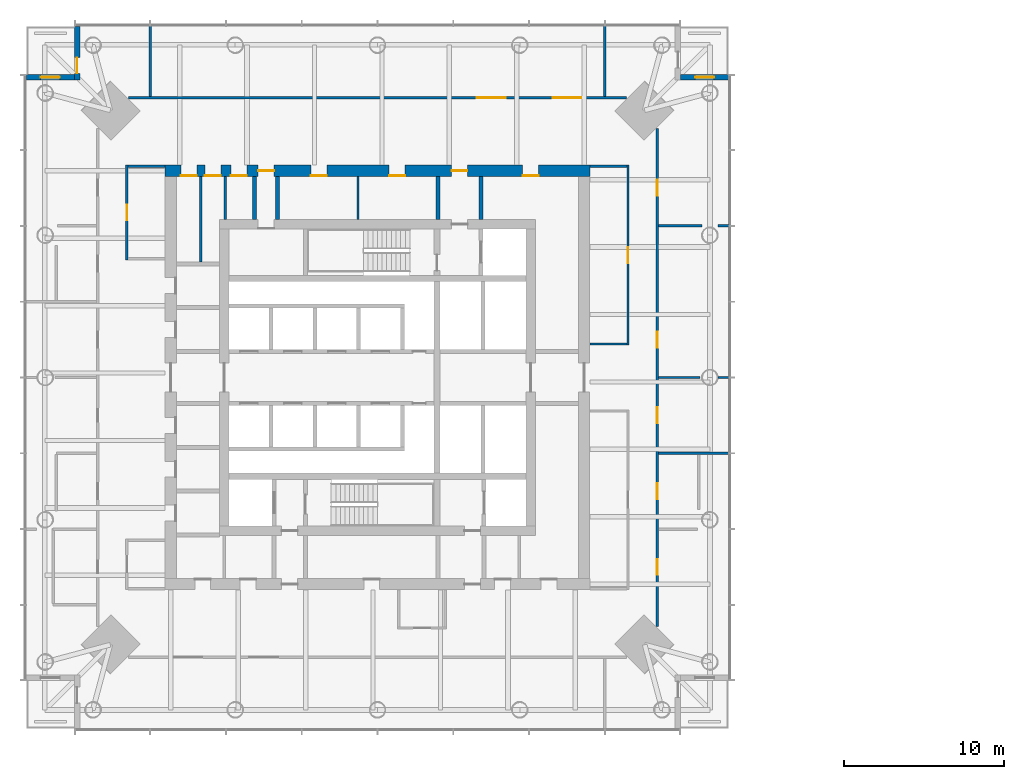
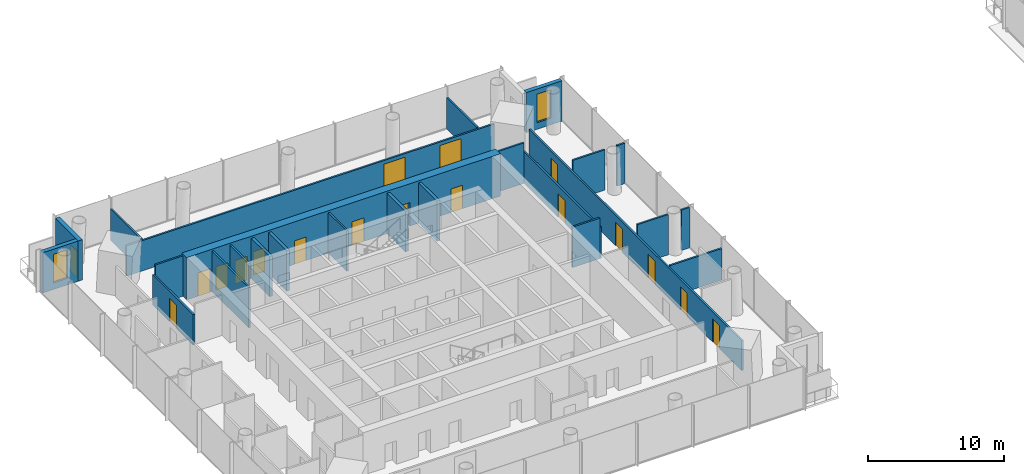
# One storey, part 11 of 19: 25 walls, 18 doors, 2 windows, 20 openings.
"""IFC4 building model written with IfcOpenShell, lengths in metres."""

from ifc_helpers import new_model, si_unit, direction, frame, frame_2d, origin, place, context, subcontext, project, spatial, rectangle, extrude, material, layer, layer_set, type_object, element, fill, save


model = new_model("IFC4")

# Units and contexts
model_context = context("Model", 3, precision=1e-05, world=origin(), true_north=direction((0.0, 1.0)))
body_context = subcontext(model_context, "Body", "Model", "MODEL_VIEW")
ifc_project = project(units=[si_unit("LENGTHUNIT", "METRE"), si_unit("AREAUNIT", "SQUARE_METRE"), si_unit("VOLUMEUNIT", "CUBIC_METRE"), si_unit("PLANEANGLEUNIT", "RADIAN"), si_unit("MASSUNIT", "GRAM", prefix="KILO")], contexts=[model_context])

# Site, building, storey
site_placement = place(None, origin())
site = spatial("IfcSite", under=ifc_project, at=site_placement, CompositionType="ELEMENT")
building_placement = place(site_placement, origin())
building = spatial("IfcBuilding", under=site, at=building_placement, Name="Ostroluk Exchange", CompositionType="ELEMENT")
storey_placement = place(building_placement, frame((0.0, 0.0, 119.800048828125)))
storey = spatial("IfcBuildingStorey", under=building, at=storey_placement, Name="L30", CompositionType="ELEMENT", Elevation=119.800048828125)

# Walls
ifc_material_1 = material(Name="Concrete blockwork", Category="masonry")
ifc_layer_1 = layer(ifc_material_1, 0.14990234375)
ifc_layer_set_1 = layer_set([ifc_layer_1], Name="Blockwork plant room wall 150")
wall_type_1 = type_object("IfcWallType", Name="Blockwork plant room wall 150", PredefinedType="SOLIDWALL", material=ifc_layer_set_1)
wall_1_placement = place(storey_placement, frame((33.927978515625, 53.25, 0.0), z_axis=(0.0, 0.0, 1.0), x_axis=(0.0, 1.0, 0.0)))
element("IfcWall", 1, at=wall_1_placement, inside=storey, type_object=wall_type_1, Name="Core room wall", PredefinedType="SOLIDWALL", context=body_context, shape_type="SweptSolid", body=[
    extrude(rectangle(XDim=5.35009765625, YDim=0.14990234375, at=frame_2d((2.675048828125, 0.0))), origin(), (0.0, 0.0, 1.0), 3.619873046875),
])
for number, where, z_axis, x_axis, name in (
    (2, (35.4560546875, 55.89990234375, 0.0), (0.0, 0.0, 1.0), (0.0, 1.0, 0.0), "Core room wall"),
    (3, (43.777587890625, 55.89990234375, 0.0), (0.0, 0.0, 1.0), (0.0, 1.0, 0.0), "Core room wall"),
):
    element("IfcWall", number, at=place(storey_placement, frame(where, z_axis=z_axis, x_axis=x_axis)), inside=storey, type_object=wall_type_1, Name=name, PredefinedType="SOLIDWALL", context=body_context, shape_type="SweptSolid", body=[
        extrude(rectangle(XDim=2.7001953125, YDim=0.14990234375, at=frame_2d((1.35009765625, 0.0))), origin(), (0.0, 0.0, 1.0), 3.619873046875),
    ])
ifc_material_2 = material(Name="Concrete blockwork", Category="masonry")
ifc_layer_2 = layer(ifc_material_2, 0.25)
ifc_layer_set_2 = layer_set([ifc_layer_2], Name="Blockwork stair enclosure wall 250")
wall_type_2 = type_object("IfcWallType", Name="Blockwork stair enclosure wall 250", PredefinedType="SOLIDWALL", material=ifc_layer_set_2)
for number, where, z_axis, x_axis, name in (
    (4, (48.804931640625, 55.89990234375, 0.0), (0.0, 0.0, 1.0), (0.0, 1.0, 0.0), "Fire lobby enclosure wall"),
    (5, (51.47509765625, 55.89990234375, 0.0), (0.0, 0.0, 1.0), (0.0, 1.0, 0.0), "Fire lobby enclosure wall"),
    (6, (37.300048828125, 55.89990234375, 0.0), (0.0, 0.0, 1.0), (0.0, 1.0, 0.0), "Core corridor wall"),
    (7, (38.75, 55.89990234375, 0.0), (0.0, 0.0, 1.0), (0.0, 1.0, 0.0), "Core corridor wall"),
):
    element("IfcWall", number, at=place(storey_placement, frame(where, z_axis=z_axis, x_axis=x_axis)), inside=storey, type_object=wall_type_2, Name=name, PredefinedType="SOLIDWALL", context=body_context, shape_type="SweptSolid", body=[
        extrude(rectangle(XDim=2.7001953125, YDim=0.25, at=frame_2d((1.35009765625, 0.0))), origin(), (0.0, 0.0, 1.0), 3.619873046875),
    ])

# Wall, openings, doors
ifc_material_3 = material(Name="Concrete C50/60", Category="concrete")
ifc_layer_3 = layer(ifc_material_3, 0.699951171875)
ifc_layer_set_3 = layer_set([ifc_layer_3], Name="Core wall 700 C50/60")
wall_type_3 = type_object("IfcWallType", Name="Core wall 700 C50/60", PredefinedType="SHEAR", material=ifc_layer_set_3)
wall_2_placement = place(storey_placement, frame((31.699951171875, 58.949951171875, 0.0), z_axis=(0.0, 0.0, 1.0), x_axis=(1.0, 0.0, 0.0)))
wall_2 = element("IfcWall", 8, at=wall_2_placement, inside=storey, type_object=wall_type_3, Name="T1 core wall RN", PredefinedType="SHEAR", context=body_context, shape_type="SweptSolid", body=[
    extrude(rectangle(XDim=26.60009765625, YDim=0.699951171875, at=frame_2d((13.300048828125, 0.0))), origin(), (0.0, 0.0, 1.0), 3.800048828125),
])
opening_1_placement = place(wall_2_placement, frame((17.93994140625, 0.0, 0.0)))
opening_1 = element("IfcOpeningElement", 9, at=opening_1_placement, cuts=wall_2, Name="Opening FD60", PredefinedType="OPENING", context=body_context, shape_type="SweptSolid", body=[
    extrude(rectangle(XDim=1.0, YDim=2.10009765625, at=frame_2d((0.5, 1.050048828125))), frame((0.0, 0.35986328125, 0.0), z_axis=(0.0, -1.0, 0.0), x_axis=(1.0, 0.0, 0.0)), (0.0, 0.0, 1.0), 0.719970703125),
])
opening_2_placement = place(wall_2_placement, frame((5.824951171875, 0.0, 0.0)))
opening_2 = element("IfcOpeningElement", 10, at=opening_2_placement, cuts=wall_2, Name="Opening FD60", PredefinedType="OPENING", context=body_context, shape_type="SweptSolid", body=[
    extrude(rectangle(XDim=1.0, YDim=2.10009765625, at=frame_2d((0.5, 1.050048828125))), frame((0.0, 0.35986328125, 0.0), z_axis=(0.0, -1.0, 0.0), x_axis=(1.0, 0.0, 0.0)), (0.0, 0.0, 1.0), 0.719970703125),
])
opening_3_placement = place(wall_2_placement, frame((0.97802734375, 0.0, 0.0)))
opening_3 = element("IfcOpeningElement", 11, at=opening_3_placement, cuts=wall_2, Name="Opening FD60", PredefinedType="OPENING", context=body_context, shape_type="SweptSolid", body=[
    extrude(rectangle(XDim=1.0, YDim=2.10009765625, at=frame_2d((0.5, 1.050048828125))), frame((0.0, 0.35986328125, 0.0), z_axis=(0.0, -1.0, 0.0), x_axis=(1.0, 0.0, 0.0)), (0.0, 0.0, 1.0), 0.719970703125),
])
opening_4_placement = place(wall_2_placement, frame((2.491943359375, 0.0, 0.0)))
opening_4 = element("IfcOpeningElement", 12, at=opening_4_placement, cuts=wall_2, Name="Opening FD60", PredefinedType="OPENING", context=body_context, shape_type="SweptSolid", body=[
    extrude(rectangle(XDim=1.0, YDim=2.10009765625, at=frame_2d((0.5, 1.050048828125))), frame((0.0, 0.35986328125, 0.0), z_axis=(0.0, -1.0, 0.0), x_axis=(1.0, 0.0, 0.0)), (0.0, 0.0, 1.0), 0.719970703125),
])
opening_5_placement = place(wall_2_placement, frame((4.115478515625, 0.0, 0.0)))
opening_5 = element("IfcOpeningElement", 13, at=opening_5_placement, cuts=wall_2, Name="Opening FD60", PredefinedType="OPENING", context=body_context, shape_type="SweptSolid", body=[
    extrude(rectangle(XDim=1.0, YDim=2.10009765625, at=frame_2d((0.5, 1.050048828125))), frame((0.0, 0.35986328125, 0.0), z_axis=(0.0, -1.0, 0.0), x_axis=(1.0, 0.0, 0.0)), (0.0, 0.0, 1.0), 0.719970703125),
])
opening_6_placement = place(wall_2_placement, frame((9.126220703125, 0.0, 0.0)))
opening_6 = element("IfcOpeningElement", 14, at=opening_6_placement, cuts=wall_2, Name="Opening FD60", PredefinedType="OPENING", context=body_context, shape_type="SweptSolid", body=[
    extrude(rectangle(XDim=1.0, YDim=2.10009765625, at=frame_2d((0.5, 1.050048828125))), frame((0.0, 0.35986328125, 0.0), z_axis=(0.0, -1.0, 0.0), x_axis=(1.0, 0.0, 0.0)), (0.0, 0.0, 1.0), 0.719970703125),
])
opening_7_placement = place(wall_2_placement, frame((14.02880859375, 0.0, 0.0)))
opening_7 = element("IfcOpeningElement", 15, at=opening_7_placement, cuts=wall_2, Name="Opening FD60", PredefinedType="OPENING", context=body_context, shape_type="SweptSolid", body=[
    extrude(rectangle(XDim=1.0, YDim=2.10009765625, at=frame_2d((0.5, 1.050048828125))), frame((0.0, 0.35986328125, 0.0), z_axis=(0.0, -1.0, 0.0), x_axis=(1.0, 0.0, 0.0)), (0.0, 0.0, 1.0), 0.719970703125),
])
opening_8_placement = place(wall_2_placement, frame((22.39990234375, 0.0, 0.0)))
opening_8 = element("IfcOpeningElement", 16, at=opening_8_placement, cuts=wall_2, Name="Opening FD60", PredefinedType="OPENING", context=body_context, shape_type="SweptSolid", body=[
    extrude(rectangle(XDim=1.0, YDim=2.10009765625, at=frame_2d((0.5, 1.050048828125))), frame((0.0, 0.35986328125, 0.0), z_axis=(0.0, -1.0, 0.0), x_axis=(1.0, 0.0, 0.0)), (0.0, 0.0, 1.0), 0.719970703125),
])
ifc_material_4 = material(Name="Steel", Category="steel")
door_type_1 = type_object("IfcDoorType", Name="Fire door EI 60 1000 x 2100", OperationType="SINGLE_SWING_LEFT", PredefinedType="DOOR", material=ifc_material_4)
door_1_placement = place(opening_1_placement, origin())
door_1 = element("IfcDoor", 17, at=door_1_placement, inside=storey, type_object=door_type_1, Name="Firefighting lobby door", OperationType="SINGLE_SWING_RIGHT", OverallHeight=2.10009765625, OverallWidth=1.0, PredefinedType="DOOR", context=body_context, shape_type="SweptSolid", body=[
    extrude(rectangle(XDim=1.0, YDim=2.10009765625, at=frame_2d((0.5, 1.050048828125))), frame((0.0, 0.02490234375, 0.0), z_axis=(0.0, -1.0, 0.0), x_axis=(1.0, 0.0, 0.0)), (0.0, 0.0, 1.0), 0.050048828125),
])
fill(opening_1, door_1)
door_2_placement = place(opening_2_placement, origin())
door_2 = element("IfcDoor", 18, at=door_2_placement, inside=storey, type_object=door_type_1, Name="Core corridor door", OperationType="SINGLE_SWING_LEFT", OverallHeight=2.10009765625, OverallWidth=1.0, PredefinedType="DOOR", context=body_context, shape_type="SweptSolid", body=[
    extrude(rectangle(XDim=1.0, YDim=2.10009765625, at=frame_2d((0.5, 1.050048828125))), frame((0.0, 0.02490234375, 0.0), z_axis=(0.0, -1.0, 0.0), x_axis=(1.0, 0.0, 0.0)), (0.0, 0.0, 1.0), 0.050048828125),
])
fill(opening_2, door_2)
door_3_placement = place(opening_3_placement, origin())
door_3 = element("IfcDoor", 19, at=door_3_placement, inside=storey, type_object=door_type_1, Name="Tenant IT room door", OperationType="SINGLE_SWING_LEFT", OverallHeight=2.10009765625, OverallWidth=1.0, PredefinedType="DOOR", context=body_context, shape_type="SweptSolid", body=[
    extrude(rectangle(XDim=1.0, YDim=2.10009765625, at=frame_2d((0.5, 1.050048828125))), frame((0.0, -0.2900390625, 0.0), z_axis=(0.0, -1.0, 0.0), x_axis=(1.0, 0.0, 0.0)), (0.0, 0.0, 1.0), 0.050048828125),
])
fill(opening_3, door_3)
door_4_placement = place(opening_4_placement, origin())
door_4 = element("IfcDoor", 20, at=door_4_placement, inside=storey, type_object=door_type_1, Name="First aid room door", OperationType="SINGLE_SWING_LEFT", OverallHeight=2.10009765625, OverallWidth=1.0, PredefinedType="DOOR", context=body_context, shape_type="SweptSolid", body=[
    extrude(rectangle(XDim=1.0, YDim=2.10009765625, at=frame_2d((0.5, 1.050048828125))), frame((0.0, -0.2900390625, 0.0), z_axis=(0.0, -1.0, 0.0), x_axis=(1.0, 0.0, 0.0)), (0.0, 0.0, 1.0), 0.050048828125),
])
fill(opening_4, door_4)
door_5_placement = place(opening_5_placement, origin())
door_5 = element("IfcDoor", 21, at=door_5_placement, inside=storey, type_object=door_type_1, Name="Comms room door", OperationType="SINGLE_SWING_LEFT", OverallHeight=2.10009765625, OverallWidth=1.0, PredefinedType="DOOR", context=body_context, shape_type="SweptSolid", body=[
    extrude(rectangle(XDim=1.0, YDim=2.10009765625, at=frame_2d((0.5, 1.050048828125))), frame((0.0, -0.2900390625, 0.0), z_axis=(0.0, -1.0, 0.0), x_axis=(1.0, 0.0, 0.0)), (0.0, 0.0, 1.0), 0.050048828125),
])
fill(opening_5, door_5)
door_6_placement = place(opening_6_placement, origin())
door_6 = element("IfcDoor", 22, at=door_6_placement, inside=storey, type_object=door_type_1, Name="Print and post room door", OperationType="SINGLE_SWING_LEFT", OverallHeight=2.10009765625, OverallWidth=1.0, PredefinedType="DOOR", context=body_context, shape_type="SweptSolid", body=[
    extrude(rectangle(XDim=1.0, YDim=2.10009765625, at=frame_2d((0.5, 1.050048828125))), frame((0.0, -0.2900390625, 0.0), z_axis=(0.0, -1.0, 0.0), x_axis=(1.0, 0.0, 0.0)), (0.0, 0.0, 1.0), 0.050048828125),
])
fill(opening_6, door_6)
door_7_placement = place(opening_7_placement, origin())
door_7 = element("IfcDoor", 23, at=door_7_placement, inside=storey, type_object=door_type_1, Name="Archive door", OperationType="SINGLE_SWING_RIGHT", OverallHeight=2.10009765625, OverallWidth=1.0, PredefinedType="DOOR", context=body_context, shape_type="SweptSolid", body=[
    extrude(rectangle(XDim=1.0, YDim=2.10009765625, at=frame_2d((0.5, 1.050048828125))), frame((0.0, -0.2900390625, 0.0), z_axis=(0.0, -1.0, 0.0), x_axis=(1.0, 0.0, 0.0)), (0.0, 0.0, 1.0), 0.050048828125),
])
fill(opening_7, door_7)
door_8_placement = place(opening_8_placement, origin())
door_8 = element("IfcDoor", 24, at=door_8_placement, inside=storey, type_object=door_type_1, Name="First aid room door", OperationType="SINGLE_SWING_RIGHT", OverallHeight=2.10009765625, OverallWidth=1.0, PredefinedType="DOOR", context=body_context, shape_type="SweptSolid", body=[
    extrude(rectangle(XDim=1.0, YDim=2.10009765625, at=frame_2d((0.5, 1.050048828125))), frame((0.0, -0.2900390625, 0.0), z_axis=(0.0, -1.0, 0.0), x_axis=(1.0, 0.0, 0.0)), (0.0, 0.0, 1.0), 0.050048828125),
])
fill(opening_8, door_8)

# Wall, opening, window
ifc_material_5 = material(Name="Limestone", Category="masonry")
ifc_layer_4 = layer(ifc_material_5, 0.35009765625)
ifc_layer_set_4 = layer_set([ifc_layer_4], Name="Limestone facade wall 350")
wall_type_4 = type_object("IfcWallType", Name="Limestone facade wall 350", PredefinedType="SOLIDWALL", material=ifc_layer_set_4)
wall_3_placement = place(storey_placement, frame((64.0, 64.824951171875, 0.0), z_axis=(0.0, 0.0, 1.0), x_axis=(1.0, 0.0, 0.0)))
wall_3 = element("IfcWall", 25, at=wall_3_placement, inside=storey, type_object=wall_type_4, Name="Office tower NE corner wall L30 b", PredefinedType="SOLIDWALL", context=body_context, shape_type="SweptSolid", body=[
    extrude(rectangle(XDim=3.0, YDim=0.35009765625, at=frame_2d((1.5, 0.0))), origin(), (0.0, 0.0, 1.0), 3.619873046875),
])
opening_9_placement = place(wall_3_placement, frame((0.89990234375, 0.0, 0.60009765625)))
opening_9 = element("IfcOpeningElement", 26, at=opening_9_placement, cuts=wall_3, Name="Opening WN-L1", PredefinedType="OPENING", context=body_context, shape_type="SweptSolid", body=[
    extrude(rectangle(XDim=1.199951171875, YDim=2.550048828125, at=frame_2d((0.60009765625, 1.27490234375))), frame((0.0, 0.18505859375, 0.0), z_axis=(0.0, -1.0, 0.0), x_axis=(1.0, 0.0, 0.0)), (0.0, 0.0, 1.0), 0.3701171875),
])
ifc_material_6 = material(Name="Laminated clear glass", Category="glass")
window_type = type_object("IfcWindowType", Name="Lancet window 1200 x 2550", PartitioningType="SINGLE_PANEL", PredefinedType="WINDOW", material=ifc_material_6)
window_1_placement = place(opening_9_placement, origin())
window_1 = element("IfcWindow", 27, at=window_1_placement, inside=storey, type_object=window_type, Name="Office tower NE lancet window L30", OverallHeight=2.550048828125, OverallWidth=1.199951171875, PartitioningType="SINGLE_PANEL", PredefinedType="WINDOW", context=body_context, shape_type="SweptSolid", body=[
    extrude(rectangle(XDim=1.199951171875, YDim=2.550048828125, at=frame_2d((0.60009765625, 1.27490234375))), frame((0.0, 0.030029296875, 0.0), z_axis=(0.0, -1.0, 0.0), x_axis=(1.0, 0.0, 0.0)), (0.0, 0.0, 1.0), 0.06005859375),
])
fill(opening_9, window_1)

# Wall, opening, door
wall_4_placement = place(storey_placement, frame((26.175048828125, 68.0, 0.0), z_axis=(0.0, 0.0, 1.0), x_axis=(0.0, -1.0, 0.0)))
wall_4 = element("IfcWall", 28, at=wall_4_placement, inside=storey, type_object=wall_type_4, Name="Office tower NW corner wall L30 a", PredefinedType="SOLIDWALL", context=body_context, shape_type="SweptSolid", body=[
    extrude(rectangle(XDim=3.35009765625, YDim=0.35009765625, at=frame_2d((1.675048828125, 0.0))), origin(), (0.0, 0.0, 1.0), 3.619873046875),
])
opening_10_placement = place(wall_4_placement, frame((1.949951171875, 0.0, 0.0)))
opening_10 = element("IfcOpeningElement", 29, at=opening_10_placement, cuts=wall_4, Name="Opening D-B1", PredefinedType="OPENING", context=body_context, shape_type="SweptSolid", body=[
    extrude(rectangle(XDim=1.0, YDim=2.39990234375, at=frame_2d((0.5, 1.199951171875))), frame((0.0, 0.18505859375, 0.0), z_axis=(0.0, -1.0, 0.0), x_axis=(1.0, 0.0, 0.0)), (0.0, 0.0, 1.0), 0.3701171875),
])
ifc_material_7 = material(Name="Bronze framed glazed door", Category="aluminium")
door_type_2 = type_object("IfcDoorType", Name="Balcony door 1000 x 2400", OperationType="SINGLE_SWING_LEFT", PredefinedType="DOOR", material=ifc_material_7)
door_9_placement = place(opening_10_placement, origin())
door_9 = element("IfcDoor", 30, at=door_9_placement, inside=storey, type_object=door_type_2, Name="Office tower NW balcony door L30", OperationType="SINGLE_SWING_RIGHT", OverallHeight=2.39990234375, OverallWidth=1.0, PredefinedType="DOOR", context=body_context, shape_type="SweptSolid", body=[
    extrude(rectangle(XDim=1.0, YDim=2.39990234375, at=frame_2d((0.5, 1.199951171875))), frame((0.0, 0.02490234375, 0.0), z_axis=(0.0, -1.0, 0.0), x_axis=(1.0, 0.0, 0.0)), (0.0, 0.0, 1.0), 0.050048828125),
])
fill(opening_10, door_9)

# Wall, opening, window
wall_5_placement = place(storey_placement, frame((26.0, 64.824951171875, 0.0), z_axis=(0.0, 0.0, 1.0), x_axis=(-1.0, 0.0, 0.0)))
wall_5 = element("IfcWall", 31, at=wall_5_placement, inside=storey, type_object=wall_type_4, Name="Office tower NW corner wall L30 b", PredefinedType="SOLIDWALL", context=body_context, shape_type="SweptSolid", body=[
    extrude(rectangle(XDim=3.0, YDim=0.35009765625, at=frame_2d((1.5, 0.0))), origin(), (0.0, 0.0, 1.0), 3.619873046875),
])
opening_11_placement = place(wall_5_placement, frame((0.89990234375, 0.0, 0.60009765625)))
opening_11 = element("IfcOpeningElement", 32, at=opening_11_placement, cuts=wall_5, Name="Opening WN-L1", PredefinedType="OPENING", context=body_context, shape_type="SweptSolid", body=[
    extrude(rectangle(XDim=1.199951171875, YDim=2.550048828125, at=frame_2d((0.60009765625, 1.27490234375))), frame((0.0, 0.18505859375, 0.0), z_axis=(0.0, -1.0, 0.0), x_axis=(1.0, 0.0, 0.0)), (0.0, 0.0, 1.0), 0.3701171875),
])
window_2_placement = place(opening_11_placement, origin())
window_2 = element("IfcWindow", 33, at=window_2_placement, inside=storey, type_object=window_type, Name="Office tower NW lancet window L30", OverallHeight=2.550048828125, OverallWidth=1.199951171875, PartitioningType="SINGLE_PANEL", PredefinedType="WINDOW", context=body_context, shape_type="SweptSolid", body=[
    extrude(rectangle(XDim=1.199951171875, YDim=2.550048828125, at=frame_2d((0.60009765625, 1.27490234375))), frame((0.0, 0.030029296875, 0.0), z_axis=(0.0, -1.0, 0.0), x_axis=(1.0, 0.0, 0.0)), (0.0, 0.0, 1.0), 0.06005859375),
])
fill(opening_11, window_2)

# Wall, opening, door
ifc_material_8 = material(Name="Gypsum plasterboard partition", Category="gypsum")
ifc_layer_5 = layer(ifc_material_8, 0.14990234375)
ifc_layer_set_5 = layer_set([ifc_layer_5], Name="Plasterboard partition 150")
wall_type_5 = type_object("IfcWallType", Name="Plasterboard partition 150", PredefinedType="PARTITIONING", material=ifc_layer_set_5)
wall_6_placement = place(storey_placement, frame((60.699951171875, 48.02490234375, 0.0), z_axis=(0.0, 0.0, 1.0), x_axis=(0.0, 1.0, 0.0)))
wall_6 = element("IfcWall", 34, at=wall_6_placement, inside=storey, type_object=wall_type_5, Name="Partition", PredefinedType="PARTITIONING", context=body_context, shape_type="SweptSolid", body=[
    extrude(rectangle(XDim=11.275146484375, YDim=0.14990234375, at=frame_2d((5.6376953125, 0.0))), origin(), (0.0, 0.0, 1.0), 2.805908203125),
])
opening_12_placement = place(wall_6_placement, frame((5.137451171875, 0.0, 0.0)))
opening_12 = element("IfcOpeningElement", 35, at=opening_12_placement, cuts=wall_6, Name="Opening D-03", PredefinedType="OPENING", context=body_context, shape_type="SweptSolid", body=[
    extrude(rectangle(XDim=1.0, YDim=2.10009765625, at=frame_2d((0.5, 1.050048828125))), frame((0.0, 0.0849609375, 0.0), z_axis=(0.0, -1.0, 0.0), x_axis=(1.0, 0.0, 0.0)), (0.0, 0.0, 1.0), 0.169921875),
])
ifc_material_9 = material(Name="Timber", Category="wood")
door_type_3 = type_object("IfcDoorType", Name="Internal door 1000 x 2100", OperationType="SINGLE_SWING_LEFT", PredefinedType="DOOR", material=ifc_material_9)
door_10_placement = place(opening_12_placement, origin())
door_10 = element("IfcDoor", 36, at=door_10_placement, inside=storey, type_object=door_type_3, Name="Quiet room door", OperationType="SINGLE_SWING_RIGHT", OverallHeight=2.10009765625, OverallWidth=1.0, PredefinedType="DOOR", context=body_context, shape_type="SweptSolid", body=[
    extrude(rectangle(XDim=1.0, YDim=2.10009765625, at=frame_2d((0.5, 1.050048828125))), frame((0.0, 0.02490234375, 0.0), z_axis=(0.0, -1.0, 0.0), x_axis=(1.0, 0.0, 0.0)), (0.0, 0.0, 1.0), 0.050048828125),
])
fill(opening_12, door_10)

# Walls
for number, where, z_axis, x_axis, name in (
    (37, (58.300048828125, 48.10009765625, 0.0), (0.0, 0.0, 1.0), (1.0, 0.0, 0.0), "Partition"),
    (38, (58.300048828125, 59.22509765625, 0.0), (0.0, 0.0, 1.0), (1.0, 0.0, 0.0), "Partition"),
):
    element("IfcWall", number, at=place(storey_placement, frame(where, z_axis=z_axis, x_axis=x_axis)), inside=storey, type_object=wall_type_5, Name=name, PredefinedType="PARTITIONING", context=body_context, shape_type="SweptSolid", body=[
        extrude(rectangle(XDim=2.324951171875, YDim=0.14990234375, at=frame_2d((1.16259765625, 0.0))), origin(), (0.0, 0.0, 1.0), 3.619873046875),
    ])

# Wall, opening, door
wall_7_placement = place(storey_placement, frame((29.300048828125, 59.300048828125, 0.0), z_axis=(0.0, 0.0, 1.0), x_axis=(0.0, -1.0, 0.0)))
wall_7 = element("IfcWall", 39, at=wall_7_placement, inside=storey, type_object=wall_type_5, Name="Partition", PredefinedType="PARTITIONING", context=body_context, shape_type="SweptSolid", body=[
    extrude(rectangle(XDim=5.925048828125, YDim=0.14990234375, at=frame_2d((2.96240234375, 0.0))), origin(), (0.0, 0.0, 1.0), 2.719970703125),
])
opening_13_placement = place(wall_7_placement, frame((2.46240234375, 0.0, 0.0)))
opening_13 = element("IfcOpeningElement", 40, at=opening_13_placement, cuts=wall_7, Name="Opening D-03", PredefinedType="OPENING", context=body_context, shape_type="SweptSolid", body=[
    extrude(rectangle(XDim=1.0, YDim=2.10009765625, at=frame_2d((0.5, 1.050048828125))), frame((0.0, 0.0849609375, 0.0), z_axis=(0.0, -1.0, 0.0), x_axis=(1.0, 0.0, 0.0)), (0.0, 0.0, 1.0), 0.169921875),
])
door_11_placement = place(opening_13_placement, origin())
door_11 = element("IfcDoor", 41, at=door_11_placement, inside=storey, type_object=door_type_3, Name="Quiet room door", OperationType="SINGLE_SWING_RIGHT", OverallHeight=2.10009765625, OverallWidth=1.0, PredefinedType="DOOR", context=body_context, shape_type="SweptSolid", body=[
    extrude(rectangle(XDim=1.0, YDim=2.10009765625, at=frame_2d((0.5, 1.050048828125))), frame((0.0, 0.02490234375, 0.0), z_axis=(0.0, -1.0, 0.0), x_axis=(1.0, 0.0, 0.0)), (0.0, 0.0, 1.0), 0.050048828125),
])
fill(opening_13, door_11)

# Wall
wall_8_placement = place(storey_placement, frame((31.699951171875, 59.22509765625, 0.0), z_axis=(0.0, 0.0, 1.0), x_axis=(-1.0, 0.0, 0.0)))
element("IfcWall", 42, at=wall_8_placement, inside=storey, type_object=wall_type_5, Name="Partition", PredefinedType="PARTITIONING", context=body_context, shape_type="SweptSolid", body=[
    extrude(rectangle(XDim=2.324951171875, YDim=0.14990234375, at=frame_2d((1.16259765625, 0.0))), origin(), (0.0, 0.0, 1.0), 3.619873046875),
])

# Wall, openings, doors
wall_9_placement = place(storey_placement, frame((62.52490234375, 30.388427734375, 0.0), z_axis=(0.0, 0.0, 1.0), x_axis=(0.0, 1.0, 0.0)))
wall_9 = element("IfcWall", 43, at=wall_9_placement, inside=storey, type_object=wall_type_5, Name="Partition", PredefinedType="PARTITIONING", context=body_context, shape_type="SweptSolid", body=[
    extrude(rectangle(XDim=31.22314453125, YDim=0.14990234375, at=frame_2d((15.611572265625, 0.0))), origin(), (0.0, 0.0, 1.0), 2.719970703125),
])
opening_14_placement = place(wall_9_placement, frame((3.236572265625, 0.0, 0.0)))
opening_14 = element("IfcOpeningElement", 44, at=opening_14_placement, cuts=wall_9, Name="Opening D-03", PredefinedType="OPENING", context=body_context, shape_type="SweptSolid", body=[
    extrude(rectangle(XDim=1.0, YDim=2.10009765625, at=frame_2d((0.5, 1.050048828125))), frame((0.0, 0.0849609375, 0.0), z_axis=(0.0, -1.0, 0.0), x_axis=(1.0, 0.0, 0.0)), (0.0, 0.0, 1.0), 0.169921875),
])
opening_15_placement = place(wall_9_placement, frame((7.986572265625, 0.0, 0.0)))
opening_15 = element("IfcOpeningElement", 45, at=opening_15_placement, cuts=wall_9, Name="Opening D-03", PredefinedType="OPENING", context=body_context, shape_type="SweptSolid", body=[
    extrude(rectangle(XDim=1.0, YDim=2.10009765625, at=frame_2d((0.5, 1.050048828125))), frame((0.0, 0.0849609375, 0.0), z_axis=(0.0, -1.0, 0.0), x_axis=(1.0, 0.0, 0.0)), (0.0, 0.0, 1.0), 0.169921875),
])
opening_16_placement = place(wall_9_placement, frame((12.736572265625, 0.0, 0.0)))
opening_16 = element("IfcOpeningElement", 46, at=opening_16_placement, cuts=wall_9, Name="Opening D-03", PredefinedType="OPENING", context=body_context, shape_type="SweptSolid", body=[
    extrude(rectangle(XDim=1.0, YDim=2.10009765625, at=frame_2d((0.5, 1.050048828125))), frame((0.0, 0.0849609375, 0.0), z_axis=(0.0, -1.0, 0.0), x_axis=(1.0, 0.0, 0.0)), (0.0, 0.0, 1.0), 0.169921875),
])
opening_17_placement = place(wall_9_placement, frame((17.486572265625, 0.0, 0.0)))
opening_17 = element("IfcOpeningElement", 47, at=opening_17_placement, cuts=wall_9, Name="Opening D-03", PredefinedType="OPENING", context=body_context, shape_type="SweptSolid", body=[
    extrude(rectangle(XDim=1.0, YDim=2.10009765625, at=frame_2d((0.5, 1.050048828125))), frame((0.0, 0.0849609375, 0.0), z_axis=(0.0, -1.0, 0.0), x_axis=(1.0, 0.0, 0.0)), (0.0, 0.0, 1.0), 0.169921875),
])
opening_18_placement = place(wall_9_placement, frame((26.986572265625, 0.0, 0.0)))
opening_18 = element("IfcOpeningElement", 48, at=opening_18_placement, cuts=wall_9, Name="Opening D-03", PredefinedType="OPENING", context=body_context, shape_type="SweptSolid", body=[
    extrude(rectangle(XDim=1.0, YDim=2.10009765625, at=frame_2d((0.5, 1.050048828125))), frame((0.0, 0.0849609375, 0.0), z_axis=(0.0, -1.0, 0.0), x_axis=(1.0, 0.0, 0.0)), (0.0, 0.0, 1.0), 0.169921875),
])
door_12_placement = place(opening_14_placement, origin())
door_12 = element("IfcDoor", 49, at=door_12_placement, inside=storey, type_object=door_type_3, Name="Office suite door", OperationType="SINGLE_SWING_LEFT", OverallHeight=2.10009765625, OverallWidth=1.0, PredefinedType="DOOR", context=body_context, shape_type="SweptSolid", body=[
    extrude(rectangle(XDim=1.0, YDim=2.10009765625, at=frame_2d((0.5, 1.050048828125))), frame((0.0, 0.02490234375, 0.0), z_axis=(0.0, -1.0, 0.0), x_axis=(1.0, 0.0, 0.0)), (0.0, 0.0, 1.0), 0.050048828125),
])
fill(opening_14, door_12)
door_13_placement = place(opening_15_placement, origin())
door_13 = element("IfcDoor", 50, at=door_13_placement, inside=storey, type_object=door_type_3, Name="Pantry door", OperationType="SINGLE_SWING_LEFT", OverallHeight=2.10009765625, OverallWidth=1.0, PredefinedType="DOOR", context=body_context, shape_type="SweptSolid", body=[
    extrude(rectangle(XDim=1.0, YDim=2.10009765625, at=frame_2d((0.5, 1.050048828125))), frame((0.0, 0.02490234375, 0.0), z_axis=(0.0, -1.0, 0.0), x_axis=(1.0, 0.0, 0.0)), (0.0, 0.0, 1.0), 0.050048828125),
])
fill(opening_15, door_13)
door_14_placement = place(opening_16_placement, origin())
door_14 = element("IfcDoor", 51, at=door_14_placement, inside=storey, type_object=door_type_3, Name="Office door", OperationType="SINGLE_SWING_LEFT", OverallHeight=2.10009765625, OverallWidth=1.0, PredefinedType="DOOR", context=body_context, shape_type="SweptSolid", body=[
    extrude(rectangle(XDim=1.0, YDim=2.10009765625, at=frame_2d((0.5, 1.050048828125))), frame((0.0, 0.02490234375, 0.0), z_axis=(0.0, -1.0, 0.0), x_axis=(1.0, 0.0, 0.0)), (0.0, 0.0, 1.0), 0.050048828125),
])
fill(opening_16, door_14)
door_15_placement = place(opening_17_placement, origin())
door_15 = element("IfcDoor", 52, at=door_15_placement, inside=storey, type_object=door_type_3, Name="Office door", OperationType="SINGLE_SWING_RIGHT", OverallHeight=2.10009765625, OverallWidth=1.0, PredefinedType="DOOR", context=body_context, shape_type="SweptSolid", body=[
    extrude(rectangle(XDim=1.0, YDim=2.10009765625, at=frame_2d((0.5, 1.050048828125))), frame((0.0, 0.02490234375, 0.0), z_axis=(0.0, -1.0, 0.0), x_axis=(1.0, 0.0, 0.0)), (0.0, 0.0, 1.0), 0.050048828125),
])
fill(opening_17, door_15)
door_16_placement = place(opening_18_placement, origin())
door_16 = element("IfcDoor", 53, at=door_16_placement, inside=storey, type_object=door_type_3, Name="Office door", OperationType="SINGLE_SWING_RIGHT", OverallHeight=2.10009765625, OverallWidth=1.0, PredefinedType="DOOR", context=body_context, shape_type="SweptSolid", body=[
    extrude(rectangle(XDim=1.0, YDim=2.10009765625, at=frame_2d((0.5, 1.050048828125))), frame((0.0, 0.02490234375, 0.0), z_axis=(0.0, -1.0, 0.0), x_axis=(1.0, 0.0, 0.0)), (0.0, 0.0, 1.0), 0.050048828125),
])
fill(opening_18, door_16)

# Walls
wall_10_placement = place(storey_placement, frame((62.60009765625, 41.25, 0.0), z_axis=(0.0, 0.0, 1.0), x_axis=(1.0, 0.0, 0.0)))
element("IfcWall", 54, at=wall_10_placement, inside=storey, type_object=wall_type_5, Name="Partition", PredefinedType="PARTITIONING", context=body_context, shape_type="SweptSolid", body=[
    extrude(rectangle(XDim=4.43994140625, YDim=0.14990234375, at=frame_2d((2.219970703125, 0.0))), origin(), (0.0, 0.0, 1.0), 2.820068359375),
])
wall_11_placement = place(storey_placement, frame((62.60009765625, 46.0, 0.0), z_axis=(0.0, 0.0, 1.0), x_axis=(1.0, 0.0, 0.0)))
element("IfcWall", 55, at=wall_11_placement, inside=storey, type_object=wall_type_5, Name="Partition", PredefinedType="PARTITIONING", context=body_context, shape_type="SweptSolid", body=[
    extrude(rectangle(XDim=2.61328125, YDim=0.14990234375, at=frame_2d((1.306640625, 0.0))), origin(), (0.0, 0.0, 1.0), 3.619873046875),
])
wall_12_placement = place(storey_placement, frame((66.350830078125, 46.0, 0.0), z_axis=(0.0, 0.0, 1.0), x_axis=(1.0, 0.0, 0.0)))
element("IfcWall", 56, at=wall_12_placement, inside=storey, type_object=wall_type_5, Name="Partition", PredefinedType="PARTITIONING", context=body_context, shape_type="SweptSolid", body=[
    extrude(rectangle(XDim=0.689208984375, YDim=0.14990234375, at=frame_2d((0.3447265625, 0.0))), origin(), (0.0, 0.0, 1.0), 3.619873046875),
])
wall_13_placement = place(storey_placement, frame((62.60009765625, 55.5, 0.0), z_axis=(0.0, 0.0, 1.0), x_axis=(1.0, 0.0, 0.0)))
element("IfcWall", 57, at=wall_13_placement, inside=storey, type_object=wall_type_5, Name="Partition", PredefinedType="PARTITIONING", context=body_context, shape_type="SweptSolid", body=[
    extrude(rectangle(XDim=2.725830078125, YDim=0.14990234375, at=frame_2d((1.36279296875, 0.0))), origin(), (0.0, 0.0, 1.0), 3.619873046875),
])
wall_14_placement = place(storey_placement, frame((66.350830078125, 55.5, 0.0), z_axis=(0.0, 0.0, 1.0), x_axis=(1.0, 0.0, 0.0)))
element("IfcWall", 58, at=wall_14_placement, inside=storey, type_object=wall_type_5, Name="Partition", PredefinedType="PARTITIONING", context=body_context, shape_type="SweptSolid", body=[
    extrude(rectangle(XDim=0.689208984375, YDim=0.14990234375, at=frame_2d((0.3447265625, 0.0))), origin(), (0.0, 0.0, 1.0), 3.619873046875),
])

# Wall, openings, doors
wall_15_placement = place(storey_placement, frame((60.611572265625, 63.52490234375, 0.0), z_axis=(0.0, 0.0, 1.0), x_axis=(-1.0, 0.0, 0.0)))
wall_15 = element("IfcWall", 59, at=wall_15_placement, inside=storey, type_object=wall_type_5, Name="Partition", PredefinedType="PARTITIONING", context=body_context, shape_type="SweptSolid", body=[
    extrude(rectangle(XDim=31.22314453125, YDim=0.14990234375, at=frame_2d((15.611572265625, 0.0))), origin(), (0.0, 0.0, 1.0), 2.719970703125),
])
opening_19_placement = place(wall_15_placement, frame((2.83642578125, 0.0, 0.0)))
opening_19 = element("IfcOpeningElement", 60, at=opening_19_placement, cuts=wall_15, Name="Opening D-04", PredefinedType="OPENING", context=body_context, shape_type="SweptSolid", body=[
    extrude(rectangle(XDim=1.800048828125, YDim=2.39990234375, at=frame_2d((0.89990234375, 1.199951171875))), frame((0.0, 0.0849609375, 0.0), z_axis=(0.0, -1.0, 0.0), x_axis=(1.0, 0.0, 0.0)), (0.0, 0.0, 1.0), 0.169921875),
])
opening_20_placement = place(wall_15_placement, frame((7.58642578125, 0.0, 0.0)))
opening_20 = element("IfcOpeningElement", 61, at=opening_20_placement, cuts=wall_15, Name="Opening D-04", PredefinedType="OPENING", context=body_context, shape_type="SweptSolid", body=[
    extrude(rectangle(XDim=1.800048828125, YDim=2.39990234375, at=frame_2d((0.89990234375, 1.199951171875))), frame((0.0, 0.0849609375, 0.0), z_axis=(0.0, -1.0, 0.0), x_axis=(1.0, 0.0, 0.0)), (0.0, 0.0, 1.0), 0.169921875),
])
ifc_material_10 = material(Name="Timber", Category="wood")
door_type_4 = type_object("IfcDoorType", Name="Double door 1800 x 2400", OperationType="DOUBLE_DOOR_SINGLE_SWING", PredefinedType="DOOR", material=ifc_material_10)
door_17_placement = place(opening_19_placement, origin())
door_17 = element("IfcDoor", 62, at=door_17_placement, inside=storey, type_object=door_type_4, Name="Open plan office door", OperationType="DOUBLE_DOOR_SINGLE_SWING", OverallHeight=2.39990234375, OverallWidth=1.800048828125, PredefinedType="DOOR", context=body_context, shape_type="SweptSolid", body=[
    extrude(rectangle(XDim=1.800048828125, YDim=2.39990234375, at=frame_2d((0.89990234375, 1.199951171875))), frame((0.0, 0.02490234375, 0.0), z_axis=(0.0, -1.0, 0.0), x_axis=(1.0, 0.0, 0.0)), (0.0, 0.0, 1.0), 0.050048828125),
])
fill(opening_19, door_17)
door_18_placement = place(opening_20_placement, origin())
door_18 = element("IfcDoor", 63, at=door_18_placement, inside=storey, type_object=door_type_4, Name="Open plan office door", OperationType="DOUBLE_DOOR_SINGLE_SWING", OverallHeight=2.39990234375, OverallWidth=1.800048828125, PredefinedType="DOOR", context=body_context, shape_type="SweptSolid", body=[
    extrude(rectangle(XDim=1.800048828125, YDim=2.39990234375, at=frame_2d((0.89990234375, 1.199951171875))), frame((0.0, 0.02490234375, 0.0), z_axis=(0.0, -1.0, 0.0), x_axis=(1.0, 0.0, 0.0)), (0.0, 0.0, 1.0), 0.050048828125),
])
fill(opening_20, door_18)

# Walls
for number, where, z_axis, x_axis, name in (
    (64, (59.25, 63.60009765625, 0.0), (0.0, 0.0, 1.0), (0.0, 1.0, 0.0), "Partition"),
    (65, (30.75, 63.60009765625, 0.0), (0.0, 0.0, 1.0), (0.0, 1.0, 0.0), "Partition"),
):
    element("IfcWall", number, at=place(storey_placement, frame(where, z_axis=z_axis, x_axis=x_axis)), inside=storey, type_object=wall_type_5, Name=name, PredefinedType="PARTITIONING", context=body_context, shape_type="SweptSolid", body=[
        extrude(rectangle(XDim=4.43994140625, YDim=0.14990234375, at=frame_2d((2.219970703125, 0.0))), origin(), (0.0, 0.0, 1.0), 2.820068359375),
    ])

save(model, "model.ifc")
